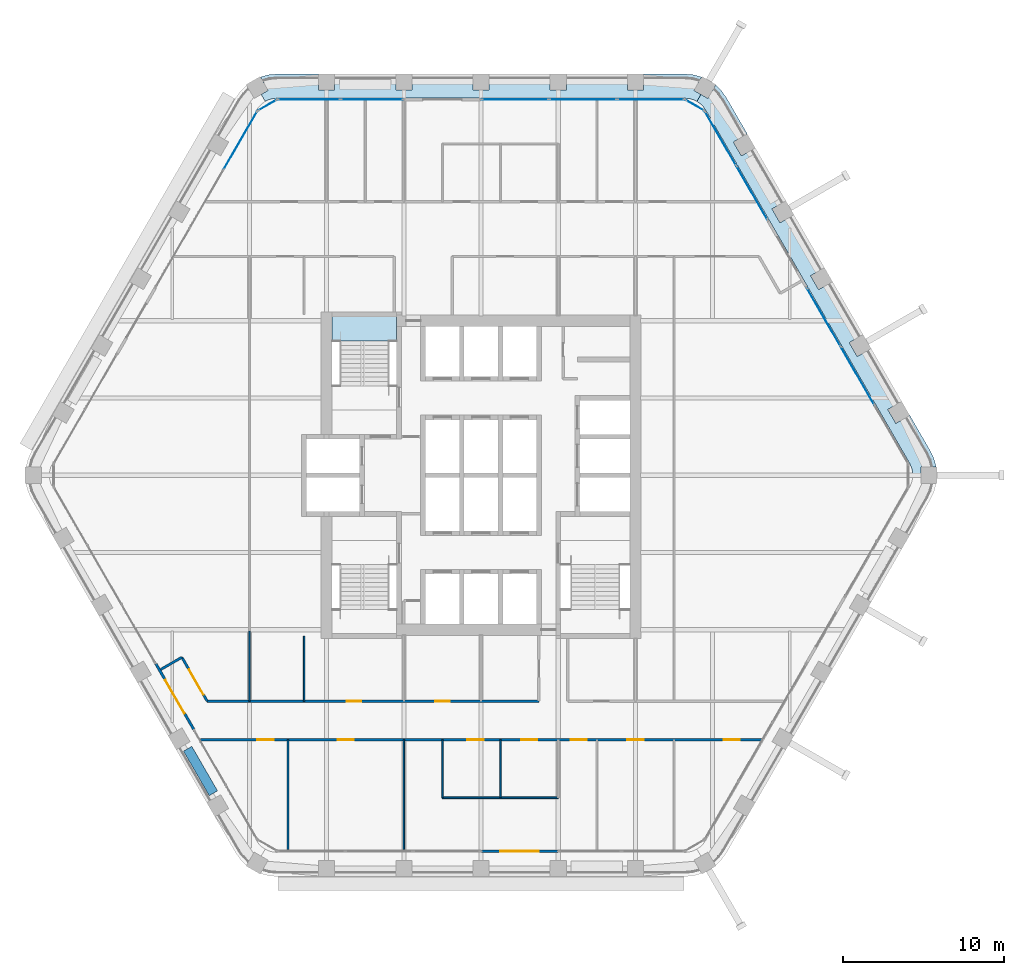
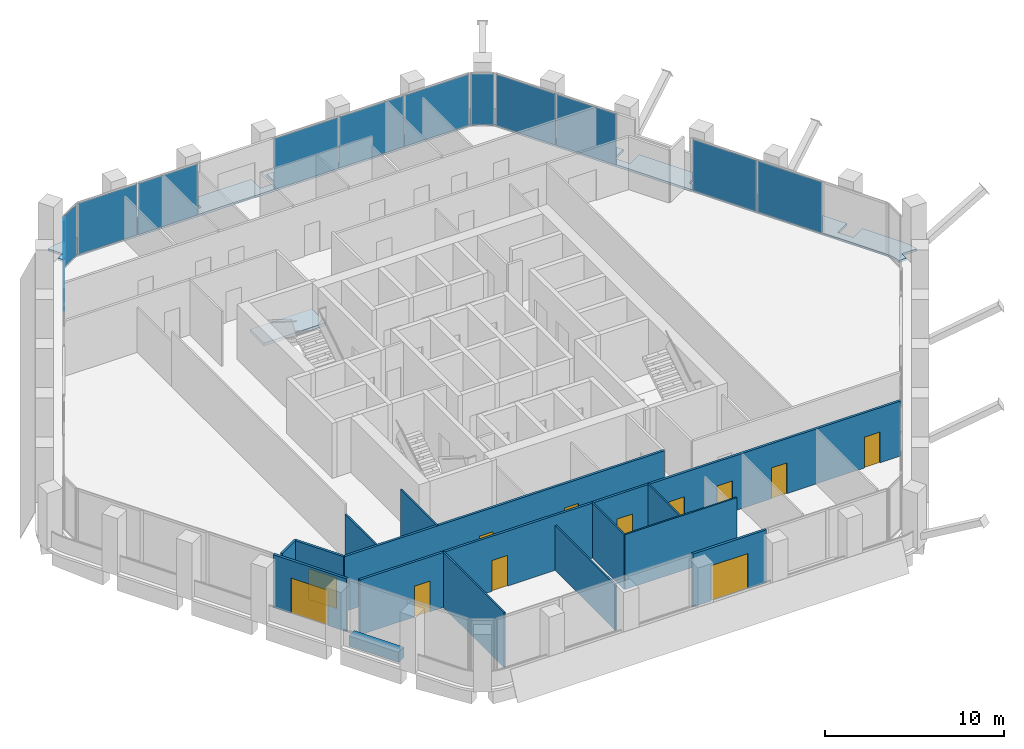
# One storey, part 9 of 16: 14 walls, 12 doors, 12 plates, 3 slabs, 12 openings, 8 elements without a shape of their own.
"""IFC4 building model written with IfcOpenShell, lengths in metres."""

from ifc_helpers import new_model, si_unit, direction, frame, frame_2d, origin, origin_2d, place, context, subcontext, project, spatial, polyline, rectangle, outline, extrude, material, layer, layer_set, type_object, element, fill, aggregate, save


model = new_model("IFC4")

# Units and contexts
model_context = context("Model", 3, precision=1e-05, world=origin(), true_north=direction((0.0, 1.0)))
body_context = subcontext(model_context, "Body", "Model", "MODEL_VIEW")
ifc_project = project(units=[si_unit("LENGTHUNIT", "METRE"), si_unit("AREAUNIT", "SQUARE_METRE"), si_unit("VOLUMEUNIT", "CUBIC_METRE"), si_unit("PLANEANGLEUNIT", "RADIAN"), si_unit("MASSUNIT", "GRAM", prefix="KILO")], contexts=[model_context])

# Site, building, storey
site_placement = place(None, origin())
site = spatial("IfcSite", under=ifc_project, at=site_placement, CompositionType="ELEMENT")
building_placement = place(site_placement, origin())
building = spatial("IfcBuilding", under=site, at=building_placement, Name="Kolab Exchange Tower", CompositionType="ELEMENT")
storey_placement = place(building_placement, frame((0.0, 0.0, 177.800048828125)))
storey = spatial("IfcBuildingStorey", under=building, at=storey_placement, Name="L37", CompositionType="ELEMENT", Elevation=177.800048828125)

# Slabs
ifc_material_1 = material(Name="Concrete C35/45", Category="concrete")
ifc_layer_1 = layer(ifc_material_1, 0.14990234375)
ifc_layer_set_1 = layer_set([ifc_layer_1], Name="Concrete C35/45")
slab_type_1 = type_object("IfcSlabType", Name="LOGGIA SLAB 150", PredefinedType="FLOOR", material=ifc_layer_set_1)
slab_1_placement = place(storey_placement, frame((0.0, 0.0, -0.150146484375)))
element("IfcSlab", 1, at=slab_1_placement, inside=storey, type_object=slab_type_1, Name="slab/L37/loggia/0-0", PredefinedType="FLOOR", context=body_context, shape_type="SweptSolid", body=[
    extrude(outline(polyline([(13.41796875, 23.240478515625), (13.66796875, 23.673583984375), (13.23486328125, 23.923583984375), (13.713134765625, 24.751708984375), (13.694091796875, 24.760498046875), (13.18896484375, 24.89599609375), (12.66796875, 24.941650390625), (10.10009765625, 24.941650390625), (10.10009765625, 23.941650390625), (9.10009765625, 23.941650390625), (9.10009765625, 24.941650390625), (5.300048828125, 24.941650390625), (5.300048828125, 23.941650390625), (4.300048828125, 23.941650390625), (4.300048828125, 24.941650390625), (0.5, 24.941650390625), (0.5, 23.941650390625), (-0.5, 23.941650390625), (-0.5, 24.941650390625), (-4.300048828125, 24.941650390625), (-4.300048828125, 23.941650390625), (-5.300048828125, 23.941650390625), (-5.300048828125, 24.941650390625), (-9.10009765625, 24.941650390625), (-9.10009765625, 23.941650390625), (-10.10009765625, 23.941650390625), (-10.10009765625, 24.941650390625), (-12.66796875, 24.941650390625), (-13.18896484375, 24.89599609375), (-13.694091796875, 24.760498046875), (-13.713134765625, 24.751708984375), (-13.23486328125, 23.923583984375), (-13.66796875, 23.673583984375), (-13.41796875, 23.240478515625), (-13.180908203125, 23.35107421875), (-12.928466796875, 23.418701171875), (-12.66796875, 23.441650390625), (12.66796875, 23.441650390625), (12.928466796875, 23.418701171875), (13.180908203125, 23.35107421875), (13.41796875, 23.240478515625)])), origin(), (0.0, 0.0, 1.0), 0.150146484375),
])
slab_2_placement = place(storey_placement, frame((0.0, 0.0, -0.150146484375)))
element("IfcSlab", 2, at=slab_2_placement, inside=storey, type_object=slab_type_1, Name="slab/L37/loggia/1-0", PredefinedType="FLOOR", context=body_context, shape_type="SweptSolid", body=[
    extrude(outline(polyline([(26.8359375, 0.0), (27.3359375, 0.0), (27.3359375, 0.5), (28.292236328125, 0.5), (28.290283203125, 0.52099609375), (28.155029296875, 1.026123046875), (27.93408203125, 1.5), (26.64990234375, 3.723876953125), (25.783935546875, 3.223876953125), (25.283935546875, 4.08984375), (26.14990234375, 4.58984375), (24.25, 7.880859375), (23.384033203125, 7.380859375), (22.884033203125, 8.246826171875), (23.75, 8.746826171875), (21.85009765625, 12.037841796875), (20.98388671875, 11.537841796875), (20.48388671875, 12.40380859375), (21.35009765625, 12.90380859375), (19.449951171875, 16.194580078125), (18.583984375, 15.694580078125), (18.083984375, 16.560791015625), (18.949951171875, 17.060791015625), (17.050048828125, 20.3515625), (16.18408203125, 19.8515625), (15.68408203125, 20.717529296875), (16.550048828125, 21.217529296875), (15.26611328125, 23.441650390625), (14.966064453125, 23.869873046875), (14.59619140625, 24.23974609375), (14.5791015625, 24.251708984375), (14.10107421875, 23.423583984375), (13.66796875, 23.673583984375), (13.41796875, 23.240478515625), (13.632080078125, 23.090576171875), (13.81689453125, 22.90576171875), (13.967041015625, 22.691650390625), (26.635009765625, 0.75), (26.745361328125, 0.512939453125), (26.81298828125, 0.260498046875), (26.8359375, 0.0)])), origin(), (0.0, 0.0, 1.0), 0.150146484375),
])

# Stair, slab
ifc_material_2 = material(Name="Concrete C50/60", Category="concrete")
stair_type = type_object("IfcStairType", Name="STAIR ST1 RISER 177.3", PredefinedType="HALF_TURN_STAIR", material=ifc_material_2)
stair_placement = place(storey_placement, origin())
stair = element("IfcStair", 3, at=stair_placement, inside=storey, type_object=stair_type, Name="Stair 1", PredefinedType="HALF_TURN_STAIR")
ifc_layer_2 = layer(ifc_material_2, 0.199951171875)
ifc_layer_set_2 = layer_set([ifc_layer_2], Name="Concrete C50/60")
slab_type_2 = type_object("IfcSlabType", Name="STAIR LANDING 200", PredefinedType="LANDING", material=ifc_layer_set_2)
slab_3_placement = place(storey_placement, frame((0.0, 0.0, 1.75)))
slab_3 = element("IfcSlab", 4, at=slab_3_placement, type_object=slab_type_2, Name="ST1 landing 2", PredefinedType="LANDING", context=body_context, shape_type="SweptSolid", body=[
    extrude(outline(polyline([(-9.25, 8.35009765625), (-5.25, 8.35009765625), (-5.25, 9.909912109375), (-9.25, 9.909912109375), (-9.25, 8.35009765625)])), origin(), (0.0, 0.0, 1.0), 0.199951171875),
])
aggregate(stair, [slab_3])

# Curtain wall, plates
ifc_material_3 = material(Name="Aluminium EN AW-6063 T6", Category="aluminium")
curtain_wall_type = type_object("IfcCurtainWallType", Name="UNITISED UPPER MID ZONE CURTAIN WALL", PredefinedType="NOTDEFINED", material=ifc_material_3)
curtain_wall_1_placement = place(storey_placement, origin())
curtain_wall_1 = element("IfcCurtainWall", 5, at=curtain_wall_1_placement, inside=storey, type_object=curtain_wall_type, Name="cw/L37/F1-1", PredefinedType="NOTDEFINED")
ifc_material_4 = material(Name="Clear insulated glazing unit", Category="glass")
ifc_layer_3 = layer(ifc_material_4, 0.028076171875)
ifc_layer_set_3 = layer_set([ifc_layer_3], Name="Clear insulated glazing unit")
plate_type = type_object("IfcPlateType", Name="UNITISED UPPER MID ZONE GLASS PANEL 28", PredefinedType="CURTAIN_PANEL", material=ifc_layer_set_3)
plate_1_placement = place(storey_placement, frame((-10.68603515625, 23.361572265625, 0.06005859375), z_axis=(0.0, 0.0, 1.0), x_axis=(1.0, 0.0, 0.0)))
plate_1 = element("IfcPlate", 6, at=plate_1_placement, type_object=plate_type, Name="CW3 panel 1.1", PredefinedType="CURTAIN_PANEL", context=body_context, shape_type="SweptSolid", body=[
    extrude(rectangle(XDim=3.843994140625, YDim=0.028076171875, at=origin_2d()), origin(), (0.0, 0.0, 1.0), 3.47998046875),
])
plate_2_placement = place(storey_placement, frame((-6.781982421875, 23.361572265625, 0.06005859375), z_axis=(0.0, 0.0, 1.0), x_axis=(1.0, 0.0, 0.0)))
plate_2 = element("IfcPlate", 7, at=plate_2_placement, type_object=plate_type, Name="CW3 panel 2.1", PredefinedType="CURTAIN_PANEL", context=body_context, shape_type="SweptSolid", body=[
    extrude(rectangle(XDim=3.843994140625, YDim=0.028076171875, at=origin_2d()), origin(), (0.0, 0.0, 1.0), 3.47998046875),
])
aggregate(curtain_wall_1, [plate_1, plate_2])

curtain_wall_2_placement = place(storey_placement, origin())
curtain_wall_2 = element("IfcCurtainWall", 8, at=curtain_wall_2_placement, inside=storey, type_object=curtain_wall_type, Name="cw/L37/F1-2", PredefinedType="NOTDEFINED")
plate_3_placement = place(storey_placement, frame((2.126220703125, 23.361572265625, 0.06005859375), z_axis=(0.0, 0.0, 1.0), x_axis=(1.0, 0.0, 0.0)))
plate_3 = element("IfcPlate", 9, at=plate_3_placement, type_object=plate_type, Name="CW3 panel 1.1", PredefinedType="CURTAIN_PANEL", context=body_context, shape_type="SweptSolid", body=[
    extrude(rectangle(XDim=4.132568359375, YDim=0.028076171875, at=origin_2d()), origin(), (0.0, 0.0, 1.0), 3.47998046875),
])
plate_4_placement = place(storey_placement, frame((6.333984375, 23.361572265625, 0.06005859375), z_axis=(0.0, 0.0, 1.0), x_axis=(1.0, 0.0, 0.0)))
plate_4 = element("IfcPlate", 10, at=plate_4_placement, type_object=plate_type, Name="CW3 panel 2.1", PredefinedType="CURTAIN_PANEL", context=body_context, shape_type="SweptSolid", body=[
    extrude(rectangle(XDim=4.16259765625, YDim=0.028076171875, at=origin_2d()), origin(), (0.0, 0.0, 1.0), 3.47998046875),
])
plate_5_placement = place(storey_placement, frame((10.54150390625, 23.361572265625, 0.06005859375), z_axis=(0.0, 0.0, 1.0), x_axis=(1.0, 0.0, 0.0)))
plate_5 = element("IfcPlate", 11, at=plate_5_placement, type_object=plate_type, Name="CW3 panel 3.1", PredefinedType="CURTAIN_PANEL", context=body_context, shape_type="SweptSolid", body=[
    extrude(rectangle(XDim=4.132568359375, YDim=0.028076171875, at=origin_2d()), origin(), (0.0, 0.0, 1.0), 3.47998046875),
])
aggregate(curtain_wall_2, [plate_3, plate_4, plate_5])

curtain_wall_3_placement = place(storey_placement, origin())
curtain_wall_3 = element("IfcCurtainWall", 12, at=curtain_wall_3_placement, inside=storey, type_object=curtain_wall_type, Name="cw/L37/F2-1", PredefinedType="NOTDEFINED")
plate_6_placement = place(storey_placement, frame((14.888671875, 20.93505859375, 0.06005859375), z_axis=(0.0, 0.0, 1.0), x_axis=(0.500000031681, -0.866025385493, 0.0)))
plate_6 = element("IfcPlate", 13, at=plate_6_placement, type_object=plate_type, Name="CW3 panel 1.1", PredefinedType="CURTAIN_PANEL", context=body_context, shape_type="SweptSolid", body=[
    extrude(rectangle(XDim=3.843994140625, YDim=0.028076171875, at=origin_2d()), origin(), (0.0, 0.0, 1.0), 3.47998046875),
])
plate_7_placement = place(storey_placement, frame((16.840576171875, 17.55419921875, 0.06005859375), z_axis=(0.0, 0.0, 1.0), x_axis=(0.500000031681, -0.866025385493, 0.0)))
plate_7 = element("IfcPlate", 14, at=plate_7_placement, type_object=plate_type, Name="CW3 panel 2.1", PredefinedType="CURTAIN_PANEL", context=body_context, shape_type="SweptSolid", body=[
    extrude(rectangle(XDim=3.843994140625, YDim=0.028076171875, at=origin_2d()), origin(), (0.0, 0.0, 1.0), 3.47998046875),
])
aggregate(curtain_wall_3, [plate_6, plate_7])

curtain_wall_4_placement = place(storey_placement, origin())
curtain_wall_4 = element("IfcCurtainWall", 15, at=curtain_wall_4_placement, inside=storey, type_object=curtain_wall_type, Name="cw/L37/F2-2", PredefinedType="NOTDEFINED")
plate_8_placement = place(storey_placement, frame((21.294921875, 9.83935546875, 0.06005859375), z_axis=(0.0, 0.0, 1.0), x_axis=(0.499999958358, -0.866025427826, 0.0)))
plate_8 = element("IfcPlate", 16, at=plate_8_placement, type_object=plate_type, Name="CW3 panel 1.1", PredefinedType="CURTAIN_PANEL", context=body_context, shape_type="SweptSolid", body=[
    extrude(rectangle(XDim=4.132568359375, YDim=0.028076171875, at=origin_2d()), origin(), (0.0, 0.0, 1.0), 3.47998046875),
])
plate_9_placement = place(storey_placement, frame((23.398681640625, 6.1953125, 0.06005859375), z_axis=(0.0, 0.0, 1.0), x_axis=(0.499999958358, -0.866025427826, 0.0)))
plate_9 = element("IfcPlate", 17, at=plate_9_placement, type_object=plate_type, Name="CW3 panel 2.1", PredefinedType="CURTAIN_PANEL", context=body_context, shape_type="SweptSolid", body=[
    extrude(rectangle(XDim=4.16259765625, YDim=0.028076171875, at=origin_2d()), origin(), (0.0, 0.0, 1.0), 3.47998046875),
])
aggregate(curtain_wall_4, [plate_8, plate_9])

# Curtain wall, plate
curtain_wall_5_placement = place(storey_placement, origin())
curtain_wall_5 = element("IfcCurtainWall", 18, at=curtain_wall_5_placement, inside=storey, type_object=curtain_wall_type, Name="cw/L37/F6-2", PredefinedType="NOTDEFINED")
plate_10_placement = place(storey_placement, frame((-14.9609375, 20.81005859375, 0.06005859375), z_axis=(0.0, 0.0, 1.0), x_axis=(0.500000017564, 0.866025393644, 0.0)))
plate_10 = element("IfcPlate", 19, at=plate_10_placement, type_object=plate_type, Name="CW3 panel 3.1", PredefinedType="CURTAIN_PANEL", context=body_context, shape_type="SweptSolid", body=[
    extrude(rectangle(XDim=4.132568359375, YDim=0.028076171875, at=origin_2d()), origin(), (0.0, 0.0, 1.0), 3.47998046875),
])
aggregate(curtain_wall_5, [plate_10])

curtain_wall_6_placement = place(storey_placement, origin())
curtain_wall_6 = element("IfcCurtainWall", 20, at=curtain_wall_6_placement, inside=storey, type_object=curtain_wall_type, Name="cw/L37/F1F2-corner", PredefinedType="NOTDEFINED")
plate_11_placement = place(storey_placement, frame((13.28271484375, 23.006591796875, 0.06005859375), z_axis=(0.0, 0.0, 1.0), x_axis=(0.866025390869, -0.50000002237, 0.0)))
plate_11 = element("IfcPlate", 21, at=plate_11_placement, type_object=plate_type, Name="CW3 panel 1.1", PredefinedType="CURTAIN_PANEL", context=body_context, shape_type="SweptSolid", body=[
    extrude(rectangle(XDim=1.300048828125, YDim=0.028076171875, at=origin_2d()), origin(), (0.0, 0.0, 1.0), 3.47998046875),
])
aggregate(curtain_wall_6, [plate_11])

curtain_wall_7_placement = place(storey_placement, origin())
curtain_wall_7 = element("IfcCurtainWall", 22, at=curtain_wall_7_placement, inside=storey, type_object=curtain_wall_type, Name="cw/L37/F6F1-corner", PredefinedType="NOTDEFINED")
plate_12_placement = place(storey_placement, frame((-13.28271484375, 23.006591796875, 0.06005859375), z_axis=(0.0, 0.0, 1.0), x_axis=(0.866025390869, 0.50000002237, 0.0)))
plate_12 = element("IfcPlate", 23, at=plate_12_placement, type_object=plate_type, Name="CW3 panel 1.1", PredefinedType="CURTAIN_PANEL", context=body_context, shape_type="SweptSolid", body=[
    extrude(rectangle(XDim=1.300048828125, YDim=0.028076171875, at=origin_2d()), origin(), (0.0, 0.0, 1.0), 3.47998046875),
])
aggregate(curtain_wall_7, [plate_12])

# Wall, opening, door
ifc_layer_4 = layer(ifc_material_3, 0.159912109375)
ifc_layer_set_4 = layer_set([ifc_layer_4], Name="Aluminium EN AW-6063 T6")
wall_type_1 = type_object("IfcWallType", Name="DOOR SURROUND WALL 160 ALUMINIUM FRAMED", PredefinedType="PARTITIONING", material=ifc_layer_set_4)
wall_1_placement = place(storey_placement, frame((4.77001953125, -23.361572265625, 0.0), z_axis=(0.0, 0.0, 1.0), x_axis=(-1.0, 0.0, 0.0)))
wall_1 = element("IfcWall", 24, at=wall_1_placement, inside=storey, type_object=wall_type_1, Name="Door surround wall", PredefinedType="PARTITIONING", context=body_context, shape_type="SweptSolid", body=[
    extrude(rectangle(XDim=4.739990234375, YDim=0.159912109375, at=frame_2d((2.3701171875, 0.0))), origin(), (0.0, 0.0, 1.0), 3.599853515625),
])
opening_1_placement = place(wall_1_placement, frame((1.169921875, 0.0, 0.0)))
opening_1 = element("IfcOpeningElement", 25, at=opening_1_placement, cuts=wall_1, Name="Opening GD1-073", PredefinedType="OPENING", context=body_context, shape_type="SweptSolid", body=[
    extrude(rectangle(XDim=2.39990234375, YDim=2.39990234375, at=frame_2d((1.199951171875, 1.199951171875))), frame((0.0, 0.08984375, 0.0), z_axis=(0.0, -1.0, 0.0), x_axis=(1.0, 0.0, 0.0)), (0.0, 0.0, 1.0), 0.179931640625),
])
door_type_1 = type_object("IfcDoorType", Name="LOGGIA SLIDING GLASS DOOR 2400 X 2400", OperationType="DOUBLE_DOOR_SINGLE_SWING", PredefinedType="DOOR", material=ifc_material_3)
door_1_placement = place(opening_1_placement, origin())
door_1 = element("IfcDoor", 26, at=door_1_placement, inside=storey, type_object=door_type_1, Name="Loggia door", OperationType="DOUBLE_DOOR_SLIDING", OverallHeight=2.39990234375, OverallWidth=2.39990234375, PredefinedType="DOOR", context=body_context, shape_type="SweptSolid", body=[
    extrude(rectangle(XDim=2.39990234375, YDim=2.39990234375, at=frame_2d((1.199951171875, 1.199951171875))), frame((0.0, 0.02490234375, 0.0), z_axis=(0.0, -1.0, 0.0), x_axis=(1.0, 0.0, 0.0)), (0.0, 0.0, 1.0), 0.050048828125),
])
fill(opening_1, door_1)

wall_2_placement = place(storey_placement, frame((-17.8466796875, -15.811767578125, 0.0), z_axis=(0.0, 0.0, 1.0), x_axis=(-0.5000167099, 0.866015756104, 0.0)))
wall_2 = element("IfcWall", 27, at=wall_2_placement, inside=storey, type_object=wall_type_1, Name="Door surround wall", PredefinedType="PARTITIONING", context=body_context, shape_type="SweptSolid", body=[
    extrude(rectangle(XDim=4.739990234375, YDim=0.159912109375, at=frame_2d((2.3701171875, 0.0))), origin(), (0.0, 0.0, 1.0), 3.599853515625),
])
opening_2_placement = place(wall_2_placement, frame((1.169921875, 0.0, 0.0)))
opening_2 = element("IfcOpeningElement", 28, at=opening_2_placement, cuts=wall_2, Name="Opening GD1-074", PredefinedType="OPENING", context=body_context, shape_type="SweptSolid", body=[
    extrude(rectangle(XDim=2.39990234375, YDim=2.39990234375, at=frame_2d((1.199951171875, 1.199951171875))), frame((0.0, 0.08984375, 0.0), z_axis=(0.0, -1.0, 0.0), x_axis=(1.0, 0.0, 0.0)), (0.0, 0.0, 1.0), 0.179931640625),
])
door_2_placement = place(opening_2_placement, origin())
door_2 = element("IfcDoor", 29, at=door_2_placement, inside=storey, type_object=door_type_1, Name="Loggia door", OperationType="DOUBLE_DOOR_SLIDING", OverallHeight=2.39990234375, OverallWidth=2.39990234375, PredefinedType="DOOR", context=body_context, shape_type="SweptSolid", body=[
    extrude(rectangle(XDim=2.39990234375, YDim=2.39990234375, at=frame_2d((1.199951171875, 1.199951171875))), frame((0.0, 0.02490234375, 0.0), z_axis=(0.0, -1.0, 0.0), x_axis=(1.0, 0.0, 0.0)), (0.0, 0.0, 1.0), 0.050048828125),
])
fill(opening_2, door_2)

# Walls
ifc_material_5 = material(Name="Gypsum board", Category="gypsum")
ifc_layer_5 = layer(ifc_material_5, 0.10009765625)
ifc_layer_set_5 = layer_set([ifc_layer_5], Name="Gypsum board")
wall_type_2 = type_object("IfcWallType", Name="PARTITION 100", PredefinedType="PARTITIONING", material=ifc_layer_set_5)
for number, where, z_axis, x_axis, name in (
    (30, (1.199951171875, -20.04150390625, 0.0), (0.0, 0.0, 1.0), (0.0, 1.0, 0.0), "Partition 013"),
    (31, (-2.39990234375, -20.04150390625, 0.0), (0.0, 0.0, 1.0), (0.0, 1.0, 0.0), "Partition 017"),
):
    element("IfcWall", number, at=place(storey_placement, frame(where, z_axis=z_axis, x_axis=x_axis)), inside=storey, type_object=wall_type_2, Name=name, PredefinedType="PARTITIONING", context=body_context, shape_type="SweptSolid", body=[
        extrude(rectangle(XDim=3.60009765625, YDim=0.10009765625, at=frame_2d((1.800048828125, 0.0))), origin(), (0.0, 0.0, 1.0), 3.75),
    ])
wall_3_placement = place(storey_placement, frame((-4.800048828125, -23.271484375, 0.0), z_axis=(0.0, 0.0, 1.0), x_axis=(0.0, 1.0, 0.0)))
element("IfcWall", 32, at=wall_3_placement, inside=storey, type_object=wall_type_2, Name="Partition 019", PredefinedType="PARTITIONING", context=body_context, shape_type="SweptSolid", body=[
    extrude(rectangle(XDim=6.830078125, YDim=0.10009765625, at=frame_2d((3.4150390625, 0.0))), origin(), (0.0, 0.0, 1.0), 3.06591796875),
])
wall_4_placement = place(storey_placement, frame((-11.0, -14.04150390625, 0.0), z_axis=(0.0, 0.0, 1.0), x_axis=(0.0, 1.0, 0.0)))
element("IfcWall", 33, at=wall_4_placement, inside=storey, type_object=wall_type_2, Name="Partition 026", PredefinedType="PARTITIONING", context=body_context, shape_type="SweptSolid", body=[
    extrude(rectangle(XDim=4.04150390625, YDim=0.10009765625, at=frame_2d((2.020751953125, 0.0))), origin(), (0.0, 0.0, 1.0), 3.75),
])
wall_5_placement = place(storey_placement, frame((-12.0, -23.271484375, 0.0), z_axis=(0.0, 0.0, 1.0), x_axis=(0.0, 1.0, 0.0)))
element("IfcWall", 34, at=wall_5_placement, inside=storey, type_object=wall_type_2, Name="Partition 028", PredefinedType="PARTITIONING", context=body_context, shape_type="SweptSolid", body=[
    extrude(rectangle(XDim=6.830078125, YDim=0.10009765625, at=frame_2d((3.4150390625, 0.0))), origin(), (0.0, 0.0, 1.0), 3.75),
])
wall_6_placement = place(storey_placement, frame((-14.39990234375, -14.04150390625, 0.0), z_axis=(0.0, 0.0, 1.0), x_axis=(0.0, 1.0, 0.0)))
element("IfcWall", 35, at=wall_6_placement, inside=storey, type_object=wall_type_2, Name="Partition 029", PredefinedType="PARTITIONING", context=body_context, shape_type="SweptSolid", body=[
    extrude(rectangle(XDim=4.347900390625, YDim=0.10009765625, at=frame_2d((2.173828125, 0.0))), origin(), (0.0, 0.0, 1.0), 3.06591796875),
])
wall_7_placement = place(storey_placement, frame((-2.39990234375, -20.04150390625, 0.0), z_axis=(0.0, 0.0, 1.0), x_axis=(1.0, 0.0, 0.0)))
element("IfcWall", 36, at=wall_7_placement, inside=storey, type_object=wall_type_2, Name="Partition 034", PredefinedType="PARTITIONING", context=body_context, shape_type="SweptSolid", body=[
    extrude(rectangle(XDim=7.199951171875, YDim=0.10009765625, at=frame_2d((3.60009765625, 0.0))), origin(), (0.0, 0.0, 1.0), 3.75),
])

# Wall, opening, door
ifc_layer_6 = layer(ifc_material_5, 0.14990234375)
ifc_layer_set_6 = layer_set([ifc_layer_6], Name="Gypsum board")
wall_type_3 = type_object("IfcWallType", Name="PARTITION 150 FIRE-RATED", PredefinedType="PARTITIONING", material=ifc_layer_set_6)
wall_8_placement = place(storey_placement, frame((-18.595947265625, -11.313720703125, 0.0), z_axis=(0.0, 0.0, 1.0), x_axis=(0.499957296199, -0.866050057432, 0.0)))
wall_8 = element("IfcWall", 37, at=wall_8_placement, inside=storey, type_object=wall_type_3, Name="Partition 030", PredefinedType="PARTITIONING", context=body_context, shape_type="SweptSolid", body=[
    extrude(rectangle(XDim=3.149658203125, YDim=0.14990234375, at=frame_2d((1.57470703125, 0.0))), origin(), (0.0, 0.0, 1.0), 3.75),
])
opening_3_placement = place(wall_8_placement, frame((0.88720703125, 0.0, 0.0)))
opening_3 = element("IfcOpeningElement", 38, at=opening_3_placement, cuts=wall_8, Name="Opening D2-051", PredefinedType="OPENING", context=body_context, shape_type="SweptSolid", body=[
    extrude(rectangle(XDim=1.800048828125, YDim=2.10009765625, at=frame_2d((0.89990234375, 1.050048828125))), frame((0.0, 0.0849609375, 0.0), z_axis=(0.0, -1.0, 0.0), x_axis=(1.0, 0.0, 0.0)), (0.0, 0.0, 1.0), 0.169921875),
])
ifc_material_6 = material(Name="Steel S235", Category="steel")
door_type_2 = type_object("IfcDoorType", Name="DOUBLE DOOR 1800 FD60", OperationType="DOUBLE_DOOR_SINGLE_SWING", PredefinedType="DOOR", material=ifc_material_6)
door_3_placement = place(opening_3_placement, origin())
door_3 = element("IfcDoor", 39, at=door_3_placement, inside=storey, type_object=door_type_2, Name="Door L37-055", OperationType="SINGLE_SWING_RIGHT", OverallHeight=2.10009765625, OverallWidth=1.800048828125, PredefinedType="DOOR", context=body_context, shape_type="SweptSolid", body=[
    extrude(rectangle(XDim=1.800048828125, YDim=2.10009765625, at=frame_2d((0.89990234375, 1.050048828125))), frame((0.0, 0.02490234375, 0.0), z_axis=(0.0, -1.0, 0.0), x_axis=(1.0, 0.0, 0.0)), (0.0, 0.0, 1.0), 0.050048828125),
])
fill(opening_3, door_3)

# Wall
wall_9_placement = place(storey_placement, frame((-19.912353515625, -12.07373046875, 0.0), z_axis=(0.0, 0.0, 1.0), x_axis=(0.866030456496, 0.499991248344, 0.0)))
element("IfcWall", 40, at=wall_9_placement, inside=storey, type_object=wall_type_3, Name="Partition 032", PredefinedType="PARTITIONING", context=body_context, shape_type="SweptSolid", body=[
    extrude(rectangle(XDim=1.52001953125, YDim=0.14990234375, at=frame_2d((0.760009765625, 0.0))), origin(), (0.0, 0.0, 1.0), 3.75),
])

# Wall, openings, doors
wall_10_placement = place(storey_placement, frame((-17.43701171875, -16.44140625, 0.0), z_axis=(0.0, 0.0, 1.0), x_axis=(1.0, 0.0, 0.0)))
wall_10 = element("IfcWall", 41, at=wall_10_placement, inside=storey, type_object=wall_type_3, Name="Partition 035", PredefinedType="PARTITIONING", context=body_context, shape_type="SweptSolid", body=[
    extrude(rectangle(XDim=34.8740234375, YDim=0.14990234375, at=frame_2d((17.43701171875, 0.0))), origin(), (0.0, 0.0, 1.0), 3.75),
])
opening_4_placement = place(wall_10_placement, frame((16.591796875, 0.0, 0.0)))
opening_4 = element("IfcOpeningElement", 42, at=opening_4_placement, cuts=wall_10, Name="Opening D1-485", PredefinedType="OPENING", context=body_context, shape_type="SweptSolid", body=[
    extrude(rectangle(XDim=1.0, YDim=2.10009765625, at=frame_2d((0.5, 1.050048828125))), frame((0.0, 0.0849609375, 0.0), z_axis=(0.0, -1.0, 0.0), x_axis=(1.0, 0.0, 0.0)), (0.0, 0.0, 1.0), 0.169921875),
])
opening_5_placement = place(wall_10_placement, frame((19.93701171875, 0.0, 0.0)))
opening_5 = element("IfcOpeningElement", 43, at=opening_5_placement, cuts=wall_10, Name="Opening D1-486", PredefinedType="OPENING", context=body_context, shape_type="SweptSolid", body=[
    extrude(rectangle(XDim=1.0, YDim=2.10009765625, at=frame_2d((0.5, 1.050048828125))), frame((0.0, 0.0849609375, 0.0), z_axis=(0.0, -1.0, 0.0), x_axis=(1.0, 0.0, 0.0)), (0.0, 0.0, 1.0), 0.169921875),
])
opening_6_placement = place(wall_10_placement, frame((3.54052734375, 0.0, 0.0)))
opening_6 = element("IfcOpeningElement", 44, at=opening_6_placement, cuts=wall_10, Name="Opening D1-487", PredefinedType="OPENING", context=body_context, shape_type="SweptSolid", body=[
    extrude(rectangle(XDim=1.0, YDim=2.10009765625, at=frame_2d((0.5, 1.050048828125))), frame((0.0, 0.0849609375, 0.0), z_axis=(0.0, -1.0, 0.0), x_axis=(1.0, 0.0, 0.0)), (0.0, 0.0, 1.0), 0.169921875),
])
opening_7_placement = place(wall_10_placement, frame((8.536865234375, 0.0, 0.0)))
opening_7 = element("IfcOpeningElement", 45, at=opening_7_placement, cuts=wall_10, Name="Opening D1-488", PredefinedType="OPENING", context=body_context, shape_type="SweptSolid", body=[
    extrude(rectangle(XDim=1.0, YDim=2.10009765625, at=frame_2d((0.5, 1.050048828125))), frame((0.0, 0.0849609375, 0.0), z_axis=(0.0, -1.0, 0.0), x_axis=(1.0, 0.0, 0.0)), (0.0, 0.0, 1.0), 0.169921875),
])
opening_8_placement = place(wall_10_placement, frame((23.011962890625, 0.0, 0.0)))
opening_8 = element("IfcOpeningElement", 46, at=opening_8_placement, cuts=wall_10, Name="Opening D1-489", PredefinedType="OPENING", context=body_context, shape_type="SweptSolid", body=[
    extrude(rectangle(XDim=1.0, YDim=2.10009765625, at=frame_2d((0.5, 1.050048828125))), frame((0.0, 0.0849609375, 0.0), z_axis=(0.0, -1.0, 0.0), x_axis=(1.0, 0.0, 0.0)), (0.0, 0.0, 1.0), 0.169921875),
])
opening_9_placement = place(wall_10_placement, frame((26.536865234375, 0.0, 0.0)))
opening_9 = element("IfcOpeningElement", 47, at=opening_9_placement, cuts=wall_10, Name="Opening D1-490", PredefinedType="OPENING", context=body_context, shape_type="SweptSolid", body=[
    extrude(rectangle(XDim=1.0, YDim=2.10009765625, at=frame_2d((0.5, 1.050048828125))), frame((0.0, 0.0849609375, 0.0), z_axis=(0.0, -1.0, 0.0), x_axis=(1.0, 0.0, 0.0)), (0.0, 0.0, 1.0), 0.169921875),
])
opening_10_placement = place(wall_10_placement, frame((32.53076171875, 0.0, 0.0)))
opening_10 = element("IfcOpeningElement", 48, at=opening_10_placement, cuts=wall_10, Name="Opening D1-491", PredefinedType="OPENING", context=body_context, shape_type="SweptSolid", body=[
    extrude(rectangle(XDim=1.0, YDim=2.10009765625, at=frame_2d((0.5, 1.050048828125))), frame((0.0, 0.0849609375, 0.0), z_axis=(0.0, -1.0, 0.0), x_axis=(1.0, 0.0, 0.0)), (0.0, 0.0, 1.0), 0.169921875),
])
door_type_3 = type_object("IfcDoorType", Name="FLUSH DOOR 1000 FD60", OperationType="SINGLE_SWING_LEFT", PredefinedType="DOOR", material=ifc_material_6)
door_4_placement = place(opening_4_placement, frame((1.0, 0.0, 0.0), z_axis=(0.0, 0.0, 1.0), x_axis=(-1.0, 0.0, 0.0)))
door_4 = element("IfcDoor", 49, at=door_4_placement, inside=storey, type_object=door_type_3, Name="Door L37-046", OperationType="SINGLE_SWING_RIGHT", OverallHeight=2.10009765625, OverallWidth=1.0, PredefinedType="DOOR", context=body_context, shape_type="SweptSolid", body=[
    extrude(rectangle(XDim=1.0, YDim=2.10009765625, at=frame_2d((0.5, 1.050048828125))), frame((0.0, 0.02490234375, 0.0), z_axis=(0.0, -1.0, 0.0), x_axis=(1.0, 0.0, 0.0)), (0.0, 0.0, 1.0), 0.050048828125),
])
fill(opening_4, door_4)
door_5_placement = place(opening_5_placement, frame((1.0, 0.0, 0.0), z_axis=(0.0, 0.0, 1.0), x_axis=(-1.0, 0.0, 0.0)))
door_5 = element("IfcDoor", 50, at=door_5_placement, inside=storey, type_object=door_type_3, Name="Door L37-047", OperationType="SINGLE_SWING_RIGHT", OverallHeight=2.10009765625, OverallWidth=1.0, PredefinedType="DOOR", context=body_context, shape_type="SweptSolid", body=[
    extrude(rectangle(XDim=1.0, YDim=2.10009765625, at=frame_2d((0.5, 1.050048828125))), frame((0.0, 0.02490234375, 0.0), z_axis=(0.0, -1.0, 0.0), x_axis=(1.0, 0.0, 0.0)), (0.0, 0.0, 1.0), 0.050048828125),
])
fill(opening_5, door_5)
door_6_placement = place(opening_6_placement, frame((1.0, 0.0, 0.0), z_axis=(0.0, 0.0, 1.0), x_axis=(-1.0, 0.0, 0.0)))
door_6 = element("IfcDoor", 51, at=door_6_placement, inside=storey, type_object=door_type_3, Name="Door L37-048", OperationType="SINGLE_SWING_RIGHT", OverallHeight=2.10009765625, OverallWidth=1.0, PredefinedType="DOOR", context=body_context, shape_type="SweptSolid", body=[
    extrude(rectangle(XDim=1.0, YDim=2.10009765625, at=frame_2d((0.5, 1.050048828125))), frame((0.0, 0.02490234375, 0.0), z_axis=(0.0, -1.0, 0.0), x_axis=(1.0, 0.0, 0.0)), (0.0, 0.0, 1.0), 0.050048828125),
])
fill(opening_6, door_6)
door_7_placement = place(opening_7_placement, frame((1.0, 0.0, 0.0), z_axis=(0.0, 0.0, 1.0), x_axis=(-1.0, 0.0, 0.0)))
door_7 = element("IfcDoor", 52, at=door_7_placement, inside=storey, type_object=door_type_3, Name="Door L37-049", OperationType="SINGLE_SWING_LEFT", OverallHeight=2.10009765625, OverallWidth=1.0, PredefinedType="DOOR", context=body_context, shape_type="SweptSolid", body=[
    extrude(rectangle(XDim=1.0, YDim=2.10009765625, at=frame_2d((0.5, 1.050048828125))), frame((0.0, 0.02490234375, 0.0), z_axis=(0.0, -1.0, 0.0), x_axis=(1.0, 0.0, 0.0)), (0.0, 0.0, 1.0), 0.050048828125),
])
fill(opening_7, door_7)
door_8_placement = place(opening_8_placement, frame((1.0, 0.0, 0.0), z_axis=(0.0, 0.0, 1.0), x_axis=(-1.0, 0.0, 0.0)))
door_8 = element("IfcDoor", 53, at=door_8_placement, inside=storey, type_object=door_type_3, Name="Door L37-050", OperationType="SINGLE_SWING_RIGHT", OverallHeight=2.10009765625, OverallWidth=1.0, PredefinedType="DOOR", context=body_context, shape_type="SweptSolid", body=[
    extrude(rectangle(XDim=1.0, YDim=2.10009765625, at=frame_2d((0.5, 1.050048828125))), frame((0.0, 0.02490234375, 0.0), z_axis=(0.0, -1.0, 0.0), x_axis=(1.0, 0.0, 0.0)), (0.0, 0.0, 1.0), 0.050048828125),
])
fill(opening_8, door_8)
door_9_placement = place(opening_9_placement, frame((1.0, 0.0, 0.0), z_axis=(0.0, 0.0, 1.0), x_axis=(-1.0, 0.0, 0.0)))
door_9 = element("IfcDoor", 54, at=door_9_placement, inside=storey, type_object=door_type_3, Name="Door L37-051", OperationType="SINGLE_SWING_LEFT", OverallHeight=2.10009765625, OverallWidth=1.0, PredefinedType="DOOR", context=body_context, shape_type="SweptSolid", body=[
    extrude(rectangle(XDim=1.0, YDim=2.10009765625, at=frame_2d((0.5, 1.050048828125))), frame((0.0, 0.02490234375, 0.0), z_axis=(0.0, -1.0, 0.0), x_axis=(1.0, 0.0, 0.0)), (0.0, 0.0, 1.0), 0.050048828125),
])
fill(opening_9, door_9)
door_10_placement = place(opening_10_placement, frame((1.0, 0.0, 0.0), z_axis=(0.0, 0.0, 1.0), x_axis=(-1.0, 0.0, 0.0)))
door_10 = element("IfcDoor", 55, at=door_10_placement, inside=storey, type_object=door_type_3, Name="Door L37-052", OperationType="SINGLE_SWING_RIGHT", OverallHeight=2.10009765625, OverallWidth=1.0, PredefinedType="DOOR", context=body_context, shape_type="SweptSolid", body=[
    extrude(rectangle(XDim=1.0, YDim=2.10009765625, at=frame_2d((0.5, 1.050048828125))), frame((0.0, 0.02490234375, 0.0), z_axis=(0.0, -1.0, 0.0), x_axis=(1.0, 0.0, 0.0)), (0.0, 0.0, 1.0), 0.050048828125),
])
fill(opening_10, door_10)

wall_11_placement = place(storey_placement, frame((-17.021240234375, -14.04150390625, 0.0), z_axis=(0.0, 0.0, 1.0), x_axis=(1.0, 0.0, 0.0)))
wall_11 = element("IfcWall", 56, at=wall_11_placement, inside=storey, type_object=wall_type_3, Name="Partition 036", PredefinedType="PARTITIONING", context=body_context, shape_type="SweptSolid", body=[
    extrude(rectangle(XDim=20.621337890625, YDim=0.14990234375, at=frame_2d((10.310546875, 0.0))), origin(), (0.0, 0.0, 1.0), 3.75),
])
opening_11_placement = place(wall_11_placement, frame((8.671142578125, 0.0, 0.0)))
opening_11 = element("IfcOpeningElement", 57, at=opening_11_placement, cuts=wall_11, Name="Opening D3-052", PredefinedType="OPENING", context=body_context, shape_type="SweptSolid", body=[
    extrude(rectangle(XDim=0.89990234375, YDim=2.10009765625, at=frame_2d((0.449951171875, 1.050048828125))), frame((0.0, 0.0849609375, 0.0), z_axis=(0.0, -1.0, 0.0), x_axis=(1.0, 0.0, 0.0)), (0.0, 0.0, 1.0), 0.169921875),
])
opening_12_placement = place(wall_11_placement, frame((14.171142578125, 0.0, 0.0)))
opening_12 = element("IfcOpeningElement", 58, at=opening_12_placement, cuts=wall_11, Name="Opening D3-053", PredefinedType="OPENING", context=body_context, shape_type="SweptSolid", body=[
    extrude(rectangle(XDim=0.89990234375, YDim=2.10009765625, at=frame_2d((0.449951171875, 1.050048828125))), frame((0.0, 0.0849609375, 0.0), z_axis=(0.0, -1.0, 0.0), x_axis=(1.0, 0.0, 0.0)), (0.0, 0.0, 1.0), 0.169921875),
])
door_type_4 = type_object("IfcDoorType", Name="FLUSH DOOR 900 FD60", OperationType="SINGLE_SWING_LEFT", PredefinedType="DOOR", material=ifc_material_6)
door_11_placement = place(opening_11_placement, origin())
door_11 = element("IfcDoor", 59, at=door_11_placement, inside=storey, type_object=door_type_4, Name="Door L37-035", OperationType="SINGLE_SWING_LEFT", OverallHeight=2.10009765625, OverallWidth=0.89990234375, PredefinedType="DOOR", context=body_context, shape_type="SweptSolid", body=[
    extrude(rectangle(XDim=0.89990234375, YDim=2.10009765625, at=frame_2d((0.449951171875, 1.050048828125))), frame((0.0, 0.02490234375, 0.0), z_axis=(0.0, -1.0, 0.0), x_axis=(1.0, 0.0, 0.0)), (0.0, 0.0, 1.0), 0.050048828125),
])
fill(opening_11, door_11)
door_12_placement = place(opening_12_placement, origin())
door_12 = element("IfcDoor", 60, at=door_12_placement, inside=storey, type_object=door_type_4, Name="Door L37-036", OperationType="SINGLE_SWING_LEFT", OverallHeight=2.10009765625, OverallWidth=0.89990234375, PredefinedType="DOOR", context=body_context, shape_type="SweptSolid", body=[
    extrude(rectangle(XDim=0.89990234375, YDim=2.10009765625, at=frame_2d((0.449951171875, 1.050048828125))), frame((0.0, 0.02490234375, 0.0), z_axis=(0.0, -1.0, 0.0), x_axis=(1.0, 0.0, 0.0)), (0.0, 0.0, 1.0), 0.050048828125),
])
fill(opening_12, door_12)

# Wall
ifc_material_7 = material(Name="Granite facing", Category="masonry")
ifc_layer_7 = layer(ifc_material_7, 0.0400390625)
ifc_material_8 = material(Name="Concrete C40/50 precast", Category="concrete")
ifc_layer_8 = layer(ifc_material_8, 0.56005859375)
ifc_layer_set_7 = layer_set([ifc_layer_7, ifc_layer_8], Name="Concrete C40/50 precast")
wall_type_4 = type_object("IfcWallType", Name="PLANTER BOX 600 X 700 SOIL DEPTH 550", PredefinedType="USERDEFINED", material=ifc_layer_set_7)
wall_12_placement = place(storey_placement, frame((-16.636962890625, -19.766845703125, 0.0), z_axis=(0.0, 0.0, 1.0), x_axis=(-0.500028443584, 0.866008981251, 0.0)))
element("IfcWall", 61, at=wall_12_placement, inside=storey, type_object=wall_type_4, Name="Planter", ObjectType="PLANTER", PredefinedType="USERDEFINED", context=body_context, shape_type="SweptSolid", body=[
    extrude(rectangle(XDim=3.199951171875, YDim=0.60009765625, at=frame_2d((1.60009765625, 0.0))), origin(), (0.0, 0.0, 1.0), 0.699951171875),
])

save(model, "model.ifc")
